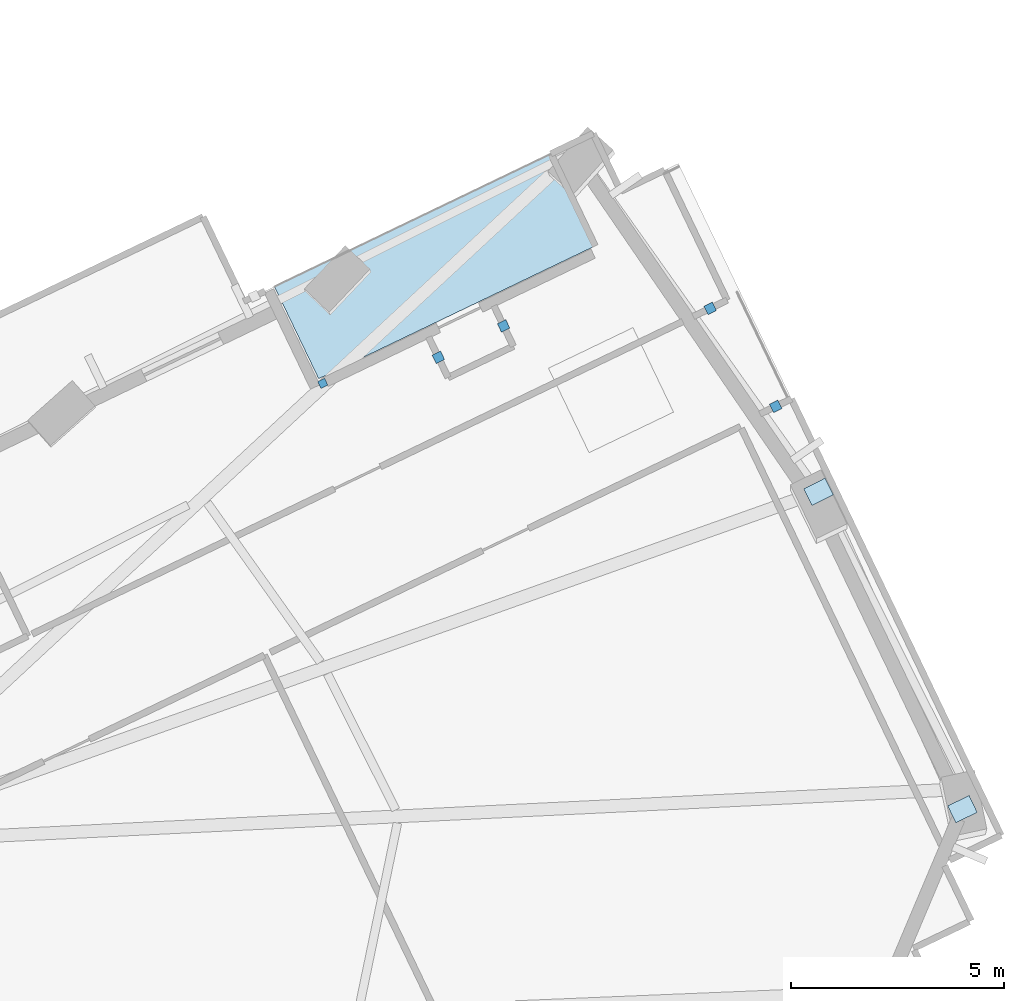
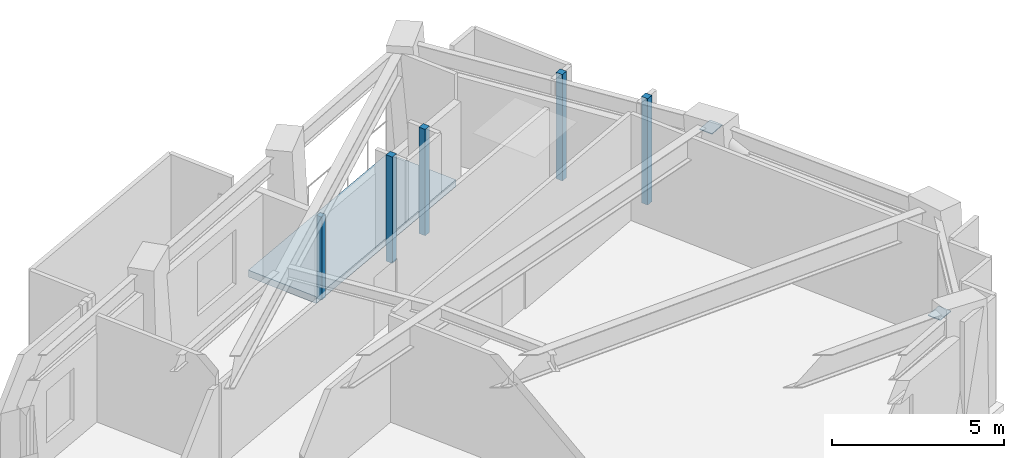
# One storey, part 6 of 16: 7 plates, 1 slab.
"""IFC4 building model written with IfcOpenShell, lengths in metres."""

from ifc_helpers import new_model, si_unit, direction, frame, origin, origin_2d, place, context, subcontext, project, spatial, polyline, rectangle, outline, extrude, material, layer, layer_set, type_object, element, save


model = new_model("IFC4")

# Units and contexts
model_context = context("Model", 3, precision=1e-05, world=origin(), true_north=direction((0.0, 1.0)))
body_context = subcontext(model_context, "Body", "Model", "MODEL_VIEW")
ifc_project = project(units=[si_unit("LENGTHUNIT", "METRE"), si_unit("AREAUNIT", "SQUARE_METRE"), si_unit("VOLUMEUNIT", "CUBIC_METRE"), si_unit("PLANEANGLEUNIT", "RADIAN"), si_unit("MASSUNIT", "GRAM", prefix="KILO")], contexts=[model_context])

# Site, building, storey
site_placement = place(None, origin())
site = spatial("IfcSite", under=ifc_project, at=site_placement, CompositionType="ELEMENT")
building_placement = place(site_placement, origin())
building = spatial("IfcBuilding", under=site, at=building_placement, Name="Gaonmaruhae Medical Tower", CompositionType="ELEMENT")
storey_placement = place(building_placement, frame((0.0, 0.0, 132.39990234375)))
storey = spatial("IfcBuildingStorey", under=building, at=storey_placement, Name="L31", CompositionType="ELEMENT", Elevation=132.39990234375)

# Plates
ifc_material_1 = material(Name="Steel HSA650 (650 MPa)", Category="steel")
ifc_layer_1 = layer(ifc_material_1, 0.028076171875)
ifc_layer_set_1 = layer_set([ifc_layer_1], Name="Steel HSA650 (650 MPa)")
plate_type_1 = type_object("IfcPlateType", Name="GP-02 Tube Brace End Cap Gusset Plate", PredefinedType="USERDEFINED", material=ifc_layer_set_1)
for number, where, z_axis, x_axis, name in (
    (1, (62.177490234375, 17.612060546875, 0.23583984375), (0.0, 0.0, 1.0), (0.901455117112, 0.43287258152, 0.0), "L31 Gusset Cap Plate PLT-L31-PBR-E01A"),
    (2, (58.80029296875, 25.061279296875, 3.51611328125), (0.0, 0.0, 1.0), (0.894154236839, 0.447759087839, 0.0), "L31 Gusset Cap Plate PLT-L31-PBR-E01B"),
):
    element("IfcPlate", number, at=place(storey_placement, frame(where, z_axis=z_axis, x_axis=x_axis)), inside=storey, type_object=plate_type_1, Name=name, ObjectType="GUSSET_PLATE", PredefinedType="USERDEFINED", context=body_context, shape_type="SweptSolid", body=[
        extrude(rectangle(XDim=0.56005859375, YDim=0.43994140625, at=origin_2d()), origin(), (0.0, 0.0, 1.0), 0.028076171875),
    ])
ifc_material_2 = material(Name="Anodised aluminium 6063-T6", Category="aluminium")
ifc_layer_2 = layer(ifc_material_2, 0.011962890625)
ifc_layer_set_2 = layer_set([ifc_layer_2], Name="Anodised aluminium 6063-T6")
plate_type_2 = type_object("IfcPlateType", Name="PP-01 Interior Partition Corner Stiffener Plate", PredefinedType="SHEET", material=ifc_layer_set_2)
plate_placement = place(storey_placement, frame((47.161376953125, 27.60693359375, 0.0), z_axis=(0.0, 0.0, 1.0), x_axis=(0.901455117112, 0.43287258152, 0.0)))
element("IfcPlate", 3, at=plate_placement, inside=storey, type_object=plate_type_2, Name="L31 Partition End Jamb Post Plate PLT-L31-ENDP-TERB-0", PredefinedType="SHEET", context=body_context, shape_type="SweptSolid", body=[
    extrude(rectangle(XDim=0.179931640625, YDim=0.179931640625, at=origin_2d()), origin(), (0.0, 0.0, 1.0), 2.945068359375),
])
for number, where, z_axis, x_axis, name in (
    (4, (49.8740234375, 28.218505859375, 0.0), (0.0, 0.0, 1.0), (0.432353308876, -0.901704284288, 0.0), "L31 Partition Corner Stiffener Plate PLT-L31-JGP-PW072"),
    (5, (51.406494140625, 28.95458984375, 0.0), (0.0, 0.0, 1.0), (-0.433124298397, 0.901334201137, 0.0), "L31 Partition Corner Stiffener Plate PLT-L31-JGP-PW074"),
    (6, (56.25439453125, 29.366943359375, 0.0), (0.0, 0.0, 1.0), (-0.901349319478, -0.433092835634, 0.0), "L31 Partition Corner Stiffener Plate PLT-L31-JGP-PW080"),
    (7, (57.7939453125, 27.06591796875, 0.0), (0.0, 0.0, 1.0), (0.901636359265, 0.432494942919, 0.0), "L31 Partition Corner Stiffener Plate PLT-L31-JGP-PW102"),
):
    element("IfcPlate", number, at=place(storey_placement, frame(where, z_axis=z_axis, x_axis=x_axis)), inside=storey, type_object=plate_type_2, Name=name, PredefinedType="SHEET", context=body_context, shape_type="SweptSolid", body=[
        extrude(rectangle(XDim=0.219970703125, YDim=0.219970703125, at=origin_2d()), origin(), (0.0, 0.0, 1.0), 3.780029296875),
    ])

# Slab
ifc_material_3 = material(Name="Concrete C40/50", Category="concrete")
ifc_layer_3 = layer(ifc_material_3, 0.239990234375)
ifc_layer_set_3 = layer_set([ifc_layer_3], Name="Concrete C40/50")
slab_type = type_object("IfcSlabType", Name="TS-240 Sky Garden & Recovery Terrace Slab", PredefinedType="FLOOR", material=ifc_layer_set_3)
slab_placement = place(storey_placement, frame((0.0, 0.0, -0.239990234375)))
element("IfcSlab", 8, at=slab_placement, inside=storey, type_object=slab_type, Name="L31 Outdoor Recovery Terrace Slab", PredefinedType="FLOOR", context=body_context, shape_type="SweptSolid", body=[
    extrude(outline(polyline([(47.064697265625, 27.7158203125), (53.55517578125, 30.83251953125), (52.516357421875, 32.99609375), (46.02587890625, 29.87939453125), (47.064697265625, 27.7158203125)])), origin(), (0.0, 0.0, 1.0), 0.239990234375),
])

save(model, "model.ifc")
